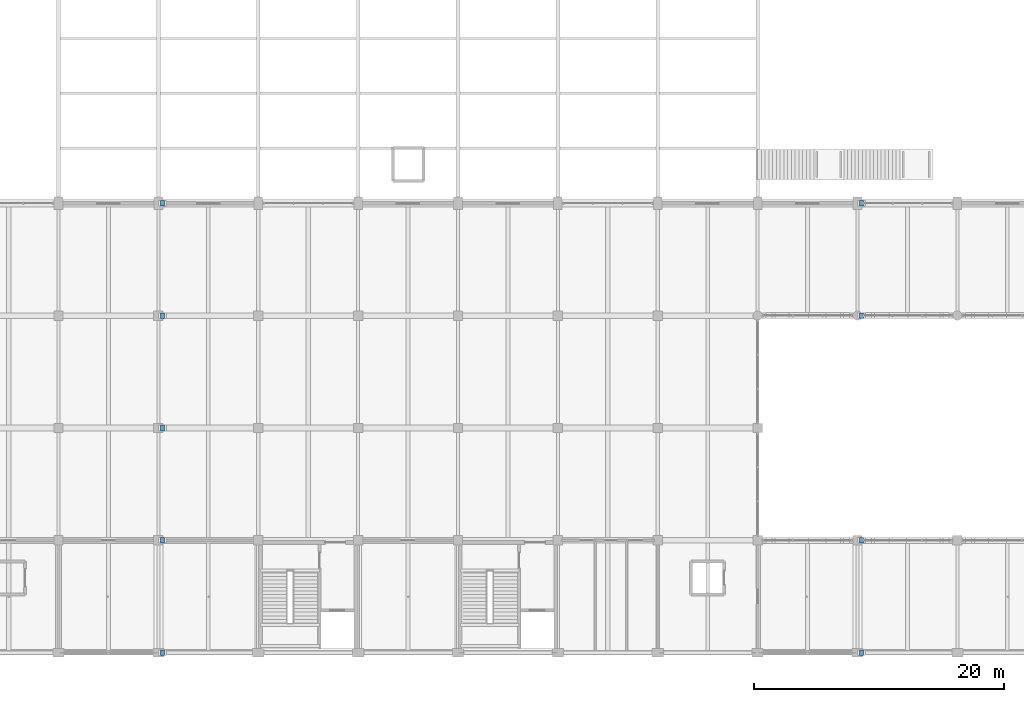
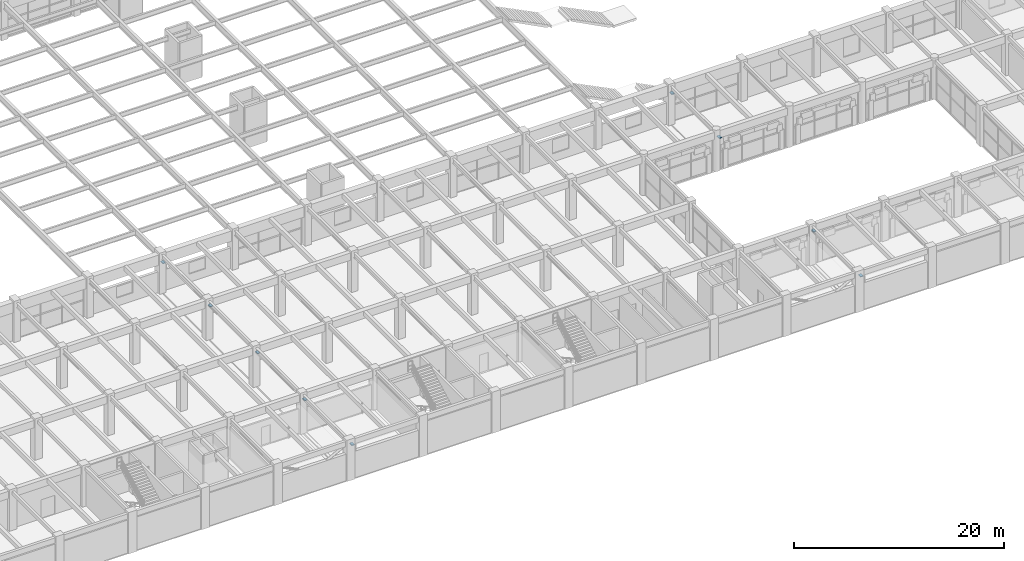
# One storey, part 129 of 144: 9 discrete accessories.
"""IFC4 building model written with IfcOpenShell, lengths in metres."""

from ifc_helpers import new_model, si_unit, direction, frame, origin, origin_2d, place, context, subcontext, project, spatial, rectangle, extrude, material, layer, layer_set, type_object, element, save


model = new_model("IFC4")

# Units and contexts
model_context = context("Model", 3, precision=1e-05, world=origin(), true_north=direction((0.0, 1.0)))
body_context = subcontext(model_context, "Body", "Model", "MODEL_VIEW")
ifc_project = project(units=[si_unit("LENGTHUNIT", "METRE"), si_unit("AREAUNIT", "SQUARE_METRE"), si_unit("VOLUMEUNIT", "CUBIC_METRE"), si_unit("PLANEANGLEUNIT", "RADIAN"), si_unit("MASSUNIT", "GRAM", prefix="KILO")], contexts=[model_context])

# Site, building, storey
site_placement = place(None, origin())
site = spatial("IfcSite", under=ifc_project, at=site_placement, CompositionType="ELEMENT")
building_placement = place(site_placement, origin())
building = spatial("IfcBuilding", under=site, at=building_placement, Name="Varnabhumi Central Station", CompositionType="ELEMENT")
storey_placement = place(building_placement, frame((0.0, 0.0, 4.800048828125)))
storey = spatial("IfcBuildingStorey", under=building, at=storey_placement, Name="L01", CompositionType="ELEMENT", Elevation=4.800048828125)

# Discrete accessories
ifc_material = material(Name="Structural steel E350", Category="steel")
ifc_layer = layer(ifc_material, 0.080078125, Name="Structural steel E350", Category="steel")
ifc_layer_set = layer_set([ifc_layer], Name="Structural steel E350")
discrete_accessory_type = type_object("IfcDiscreteAccessoryType", Name="ACC-BEARING-SHOE", PredefinedType="SHOE", material=ifc_layer_set)
for number, where, z_axis, x_axis, name in (
    (1, (64.324951171875, 0.0, 3.869873046875), (0.0, 0.0, 1.0), (1.0, 0.0, 0.0), "Movement Joint Bearing L01-A-9"),
    (2, (64.324951171875, 9.0, 3.619873046875), (0.0, 0.0, 1.0), (1.0, 0.0, 0.0), "Movement Joint Bearing L01-B-9"),
    (3, (64.324951171875, 18.0, 3.619873046875), (0.0, 0.0, 1.0), (1.0, 0.0, 0.0), "Movement Joint Bearing L01-C-9"),
    (4, (64.324951171875, 27.0, 3.619873046875), (0.0, 0.0, 1.0), (1.0, 0.0, 0.0), "Movement Joint Bearing L01-D-9"),
    (5, (64.324951171875, 36.0, 3.199951171875), (0.0, 0.0, 1.0), (1.0, 0.0, 0.0), "Movement Joint Bearing L01-E-9"),
    (6, (120.324951171875, 0.0, 3.869873046875), (0.0, 0.0, 1.0), (1.0, 0.0, 0.0), "Movement Joint Bearing L01-A-16"),
    (7, (120.324951171875, 9.0, 3.619873046875), (0.0, 0.0, 1.0), (1.0, 0.0, 0.0), "Movement Joint Bearing L01-B-16"),
    (8, (120.324951171875, 27.0, 3.619873046875), (0.0, 0.0, 1.0), (1.0, 0.0, 0.0), "Movement Joint Bearing L01-D-16"),
    (9, (120.324951171875, 36.0, 3.27001953125), (0.0, 0.0, 1.0), (1.0, 0.0, 0.0), "Movement Joint Bearing L01-E-16"),
):
    element("IfcDiscreteAccessory", number, at=place(storey_placement, frame(where, z_axis=z_axis, x_axis=x_axis)), inside=storey, type_object=discrete_accessory_type, Name=name, PredefinedType="SHOE", context=body_context, shape_type="SweptSolid", body=[
        extrude(rectangle(XDim=0.300048828125, YDim=0.449951171875, at=origin_2d()), origin(), (0.0, 0.0, 1.0), 0.080078125),
    ])

save(model, "model.ifc")
